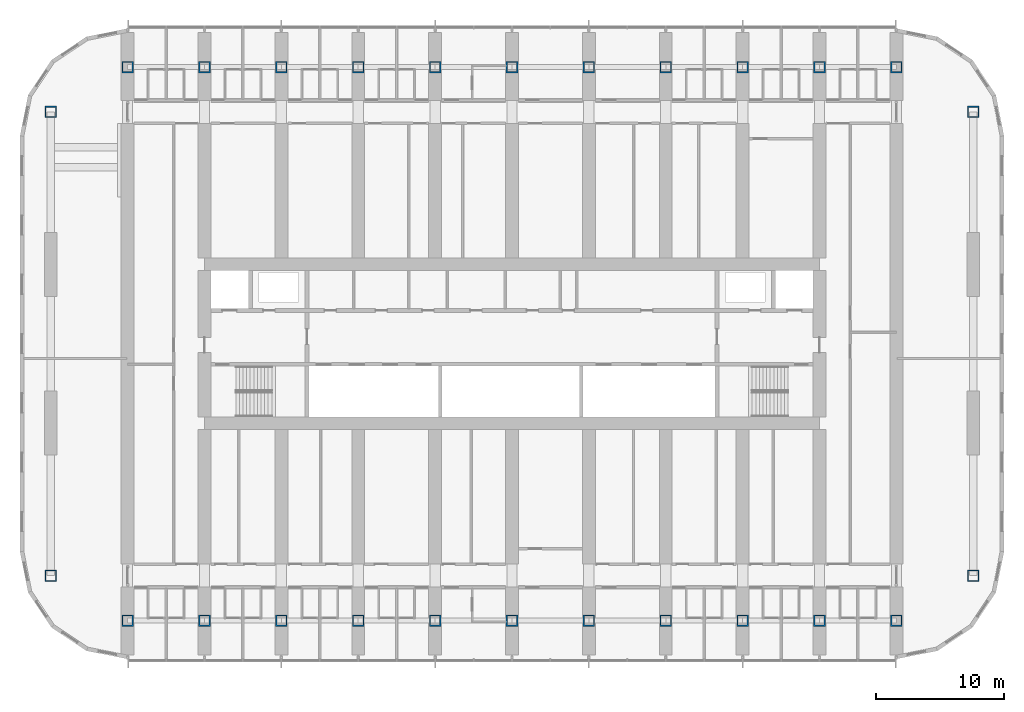
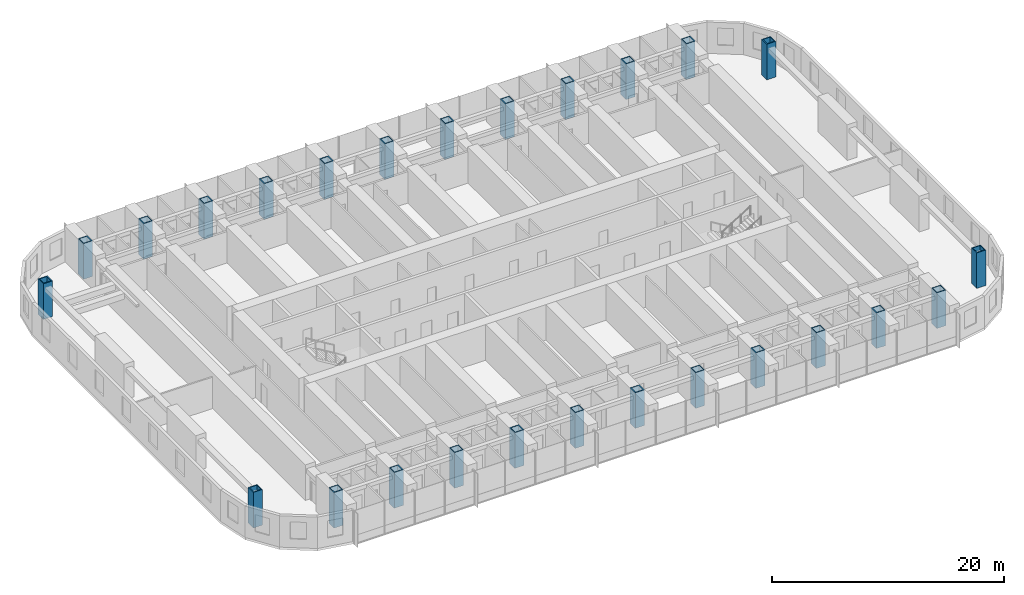
# One storey, part 1 of 24: 26 columns.
"""IFC4 building model written with IfcOpenShell, lengths in metres."""

from ifc_helpers import new_model, si_unit, direction, frame, origin, origin_2d, place, context, subcontext, project, spatial, hollow_rectangle, extrude, material, material_profile, profile_set, type_object, element, save


model = new_model("IFC4")

# Units and contexts
model_context = context("Model", 3, precision=1e-05, world=origin(), true_north=direction((0.0, 1.0)))
body_context = subcontext(model_context, "Body", "Model", "MODEL_VIEW")
ifc_project = project(units=[si_unit("LENGTHUNIT", "METRE"), si_unit("AREAUNIT", "SQUARE_METRE"), si_unit("VOLUMEUNIT", "CUBIC_METRE"), si_unit("PLANEANGLEUNIT", "RADIAN"), si_unit("MASSUNIT", "GRAM", prefix="KILO")], contexts=[model_context])

# Site, building, storey
site_placement = place(None, origin())
site = spatial("IfcSite", under=ifc_project, at=site_placement, CompositionType="ELEMENT")
building_placement = place(site_placement, origin())
building = spatial("IfcBuilding", under=site, at=building_placement, Name="Orbita Commons", CompositionType="ELEMENT")
storey_placement = place(building_placement, frame((0.0, 0.0, 35.199951171875)))
storey = spatial("IfcBuildingStorey", under=building, at=storey_placement, Name="L08", CompositionType="ELEMENT", Elevation=35.199951171875)

# Columns
ifc_material = material(Name="Steel ASTM A572 Gr 50 welded plate", Category="steel")
ifc_material_profile = material_profile(ifc_material, hollow_rectangle(XDim=0.89990234375, YDim=0.89990234375, WallThickness=0.090087890625, at=origin_2d()), Name="BOX 900x900x90")
ifc_profile_set = profile_set([ifc_material_profile], Name="Steel ASTM A572 Gr 50 welded plate")
column_type = type_object("IfcColumnType", Name="Steel column BOX 900x900x90", PredefinedType="COLUMN", material=ifc_profile_set)
for number, where, z_axis, x_axis, name in (
    (1, (12.0, 10.39990234375, 0.0), (0.0, 0.0, 1.0), (1.0, 0.0, 0.0), "Column 3/B L08"),
    (2, (12.0, 53.60009765625, 0.0), (0.0, 0.0, 1.0), (1.0, 0.0, 0.0), "Column 3/E L08"),
    (3, (18.0, 10.39990234375, 0.0), (0.0, 0.0, 1.0), (1.0, 0.0, 0.0), "Column 4/B L08"),
    (4, (18.0, 53.60009765625, 0.0), (0.0, 0.0, 1.0), (1.0, 0.0, 0.0), "Column 4/E L08"),
    (5, (24.0, 10.39990234375, 0.0), (0.0, 0.0, 1.0), (1.0, 0.0, 0.0), "Column 5/B L08"),
    (6, (24.0, 53.60009765625, 0.0), (0.0, 0.0, 1.0), (1.0, 0.0, 0.0), "Column 5/E L08"),
    (7, (30.0, 10.39990234375, 0.0), (0.0, 0.0, 1.0), (1.0, 0.0, 0.0), "Column 6/B L08"),
    (8, (30.0, 53.60009765625, 0.0), (0.0, 0.0, 1.0), (1.0, 0.0, 0.0), "Column 6/E L08"),
    (9, (36.0, 10.39990234375, 0.0), (0.0, 0.0, 1.0), (1.0, 0.0, 0.0), "Column 7/B L08"),
    (10, (36.0, 53.60009765625, 0.0), (0.0, 0.0, 1.0), (1.0, 0.0, 0.0), "Column 7/E L08"),
    (11, (42.0, 10.39990234375, 0.0), (0.0, 0.0, 1.0), (1.0, 0.0, 0.0), "Column 8/B L08"),
    (12, (42.0, 53.60009765625, 0.0), (0.0, 0.0, 1.0), (1.0, 0.0, 0.0), "Column 8/E L08"),
    (13, (48.0, 10.39990234375, 0.0), (0.0, 0.0, 1.0), (1.0, 0.0, 0.0), "Column 9/B L08"),
    (14, (48.0, 53.60009765625, 0.0), (0.0, 0.0, 1.0), (1.0, 0.0, 0.0), "Column 9/E L08"),
    (15, (54.0, 10.39990234375, 0.0), (0.0, 0.0, 1.0), (1.0, 0.0, 0.0), "Column 10/B L08"),
    (16, (54.0, 53.60009765625, 0.0), (0.0, 0.0, 1.0), (1.0, 0.0, 0.0), "Column 10/E L08"),
    (17, (60.0, 10.39990234375, 0.0), (0.0, 0.0, 1.0), (1.0, 0.0, 0.0), "Column 11/B L08"),
    (18, (60.0, 53.60009765625, 0.0), (0.0, 0.0, 1.0), (1.0, 0.0, 0.0), "Column 11/E L08"),
    (19, (66.0, 10.39990234375, 0.0), (0.0, 0.0, 1.0), (1.0, 0.0, 0.0), "Column 12/B L08"),
    (20, (66.0, 53.60009765625, 0.0), (0.0, 0.0, 1.0), (1.0, 0.0, 0.0), "Column 12/E L08"),
    (21, (72.0, 10.39990234375, 0.0), (0.0, 0.0, 1.0), (1.0, 0.0, 0.0), "Column 13/B L08"),
    (22, (72.0, 53.60009765625, 0.0), (0.0, 0.0, 1.0), (1.0, 0.0, 0.0), "Column 13/E L08"),
    (23, (6.0, 13.89990234375, 0.0), (0.0, 0.0, 1.0), (1.0, 0.0, 0.0), "Column 2/13.9 L08"),
    (24, (6.0, 50.10009765625, 0.0), (0.0, 0.0, 1.0), (1.0, 0.0, 0.0), "Column 2/50.1 L08"),
    (25, (78.0, 13.89990234375, 0.0), (0.0, 0.0, 1.0), (1.0, 0.0, 0.0), "Column 14/13.9 L08"),
    (26, (78.0, 50.10009765625, 0.0), (0.0, 0.0, 1.0), (1.0, 0.0, 0.0), "Column 14/50.1 L08"),
):
    element("IfcColumn", number, at=place(storey_placement, frame(where, z_axis=z_axis, x_axis=x_axis)), inside=storey, type_object=column_type, Name=name, PredefinedType="COLUMN", context=body_context, shape_type="SweptSolid", body=[
        extrude(hollow_rectangle(XDim=0.89990234375, YDim=0.89990234375, WallThickness=0.090087890625, at=origin_2d()), origin(), (0.0, 0.0, 1.0), 3.75),
    ])

save(model, "model.ifc")
